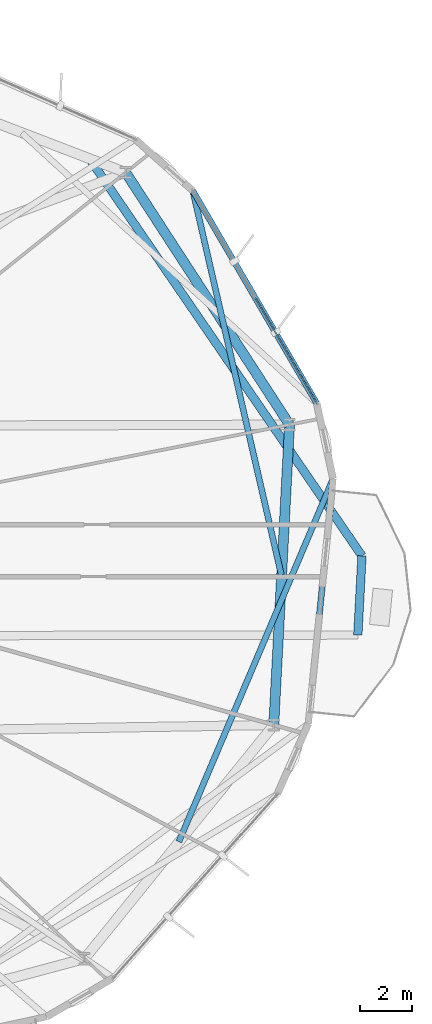
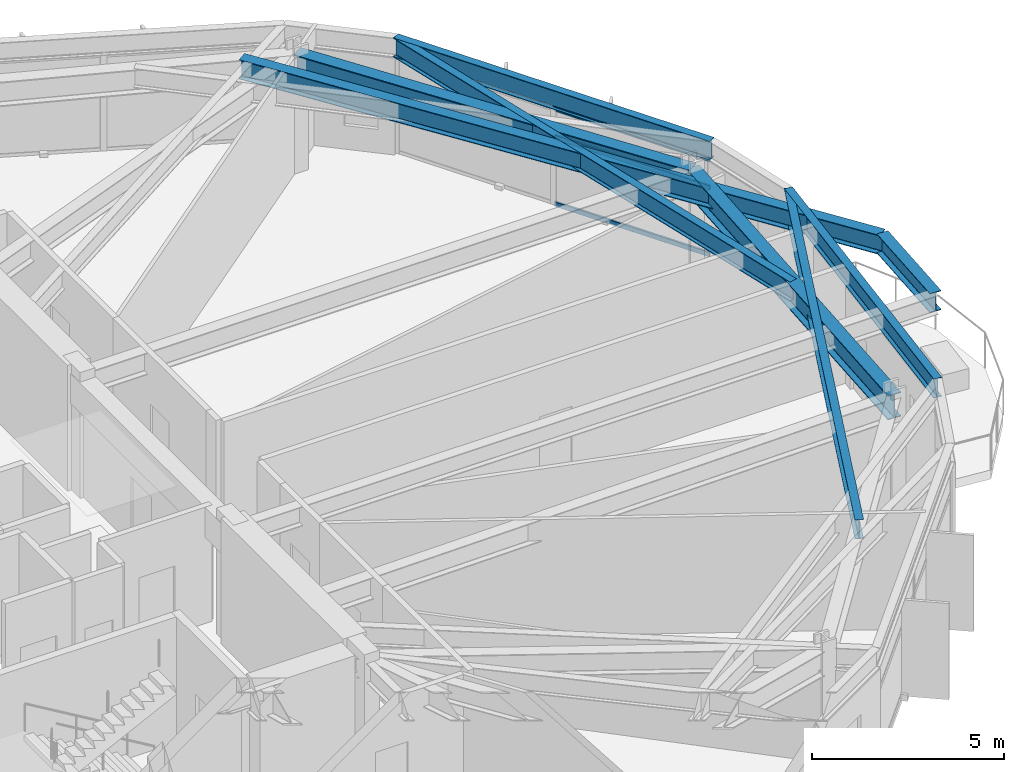
# One storey, part 9 of 22: 8 beams, 3 members, 1 element without a shape of its own.
"""IFC4 building model written with IfcOpenShell, lengths in metres."""

from ifc_helpers import new_model, si_unit, direction, frame, origin, origin_2d, place, context, subcontext, project, spatial, hollow_rectangle, i_section, extrude, material, layer, layer_set, material_profile, profile_set, type_object, element, aggregate, save


model = new_model("IFC4")

# Units and contexts
model_context = context("Model", 3, precision=1e-05, world=origin(), true_north=direction((0.0, 1.0)))
body_context = subcontext(model_context, "Body", "Model", "MODEL_VIEW")
ifc_project = project(units=[si_unit("LENGTHUNIT", "METRE"), si_unit("AREAUNIT", "SQUARE_METRE"), si_unit("VOLUMEUNIT", "CUBIC_METRE"), si_unit("PLANEANGLEUNIT", "RADIAN"), si_unit("MASSUNIT", "GRAM", prefix="KILO")], contexts=[model_context])

# Site, building, storey
site_placement = place(None, origin())
site = spatial("IfcSite", under=ifc_project, at=site_placement, CompositionType="ELEMENT")
building_placement = place(site_placement, origin())
building = spatial("IfcBuilding", under=site, at=building_placement, Name="Soratama Intermodal Tower", CompositionType="ELEMENT")
storey_placement = place(building_placement, frame((0.0, 0.0, 74.60009765625)))
storey = spatial("IfcBuildingStorey", under=building, at=storey_placement, Name="L17", CompositionType="ELEMENT", Elevation=74.60009765625)

# Beams
ifc_material_1 = material(Name="Structural steel ASTM A992 Grade 50", Category="steel")
ifc_material_profile_1 = material_profile(ifc_material_1, i_section(OverallWidth=0.324951171875, OverallDepth=0.615966796875, WebThickness=0.013916015625, FlangeThickness=0.021484375, FilletRadius=0.013916015625, at=origin_2d()), Name="W24X117")
ifc_profile_set_1 = profile_set([ifc_material_profile_1], Name="Structural steel ASTM A992 Grade 50")
beam_type_1 = type_object("IfcBeamType", Name="BM-CANT-W24X117", PredefinedType="BEAM", material=ifc_profile_set_1)
beam_1_placement = place(storey_placement, frame((65.7119140625, 21.75390625, 3.391845703125), z_axis=(0.052218339168, 0.998635691859, 0.0), x_axis=(-0.998635691859, 0.052218339168, 0.0)))
element("IfcBeam", 1, at=beam_1_placement, inside=storey, type_object=beam_type_1, Name="BM-L17-CBHDR-1", PredefinedType="BEAM", context=body_context, shape_type="SweptSolid", body=[
    extrude(i_section(OverallWidth=0.324951171875, OverallDepth=0.615966796875, WebThickness=0.013916015625, FlangeThickness=0.021484375, FilletRadius=0.013916015625, at=origin_2d()), origin(), (0.0, 0.0, 1.0), 3.04833984375),
])
beam_2_placement = place(storey_placement, frame((55.409912109375, 40.050048828125, 3.391845703125), z_axis=(0.565627629957, -0.824660769183, 0.0), x_axis=(0.824660769183, 0.565627629957, 0.0)))
element("IfcBeam", 2, at=beam_2_placement, inside=storey, type_object=beam_type_1, Name="BM-L17-CANT-1-2", PredefinedType="BEAM", context=body_context, shape_type="SweptSolid", body=[
    extrude(i_section(OverallWidth=0.324951171875, OverallDepth=0.615966796875, WebThickness=0.013916015625, FlangeThickness=0.021484375, FilletRadius=0.013916015625, at=origin_2d()), origin(), (0.0, 0.0, 1.0), 18.494873046875),
])
ifc_material_2 = material(Name="Structural steel ASTM A992 Grade 50", Category="steel")
ifc_material_profile_2 = material_profile(ifc_material_2, i_section(OverallWidth=0.382080078125, OverallDepth=0.779052734375, WebThickness=0.01806640625, FlangeThickness=0.030029296875, FilletRadius=0.01806640625, at=origin_2d()), Name="W30X191")
ifc_profile_set_2 = profile_set([ifc_material_profile_2], Name="Structural steel ASTM A992 Grade 50")
beam_type_2 = type_object("IfcBeamType", Name="BM-RING-W30X191", PredefinedType="BEAM", material=ifc_profile_set_2)
beam_3_placement = place(storey_placement, frame((63.08203125, 29.844970703125, 3.310302734375), z_axis=(-0.544623370352, 0.838680740489, 0.0), x_axis=(-0.838680740489, -0.544623370352, 0.0)))
element("IfcBeam", 3, at=beam_3_placement, inside=storey, type_object=beam_type_2, Name="BM-L17-RING-01", PredefinedType="BEAM", context=body_context, shape_type="SweptSolid", body=[
    extrude(i_section(OverallWidth=0.382080078125, OverallDepth=0.779052734375, WebThickness=0.01806640625, FlangeThickness=0.030029296875, FilletRadius=0.01806640625, at=origin_2d()), origin(), (0.0, 0.0, 1.0), 11.569580078125),
])
beam_4_placement = place(storey_placement, frame((62.47705078125, 18.291015625, 3.310302734375), z_axis=(0.052289698717, 0.998631957935, 0.0), x_axis=(-0.998631957935, 0.052289698717, 0.0)))
element("IfcBeam", 4, at=beam_4_placement, inside=storey, type_object=beam_type_2, Name="BM-L17-RING-10", PredefinedType="BEAM", context=body_context, shape_type="SweptSolid", body=[
    extrude(i_section(OverallWidth=0.382080078125, OverallDepth=0.779052734375, WebThickness=0.01806640625, FlangeThickness=0.030029296875, FilletRadius=0.01806640625, at=origin_2d()), origin(), (0.0, 0.0, 1.0), 11.56982421875),
])
ifc_material_3 = material(Name="Structural steel ASTM A992 Grade 50", Category="steel")
ifc_material_profile_3 = material_profile(ifc_material_3, i_section(OverallWidth=0.22900390625, OverallDepth=0.612060546875, WebThickness=0.011962890625, FlangeThickness=0.01953125, FilletRadius=0.012939453125, at=origin_2d()), Name="W24X84")
ifc_profile_set_3 = profile_set([ifc_material_profile_3], Name="Structural steel ASTM A992 Grade 50")
beam_type_3 = type_object("IfcBeamType", Name="BM-SPN-W24X84", PredefinedType="SPANDREL", material=ifc_profile_set_3)
beam_5_placement = place(storey_placement, frame((64.132080078125, 30.66796875, 3.393798828125), z_axis=(-0.503624354251, 0.863922745276, 0.0), x_axis=(-0.863922745276, -0.503624354251, 0.0)))
element("IfcBeam", 5, at=beam_5_placement, inside=storey, type_object=beam_type_3, Name="BS-L17-F01", PredefinedType="SPANDREL", context=body_context, shape_type="SweptSolid", body=[
    extrude(i_section(OverallWidth=0.22900390625, OverallDepth=0.612060546875, WebThickness=0.011962890625, FlangeThickness=0.01953125, FilletRadius=0.012939453125, at=origin_2d()), origin(), (0.0, 0.0, 1.0), 9.477783203125),
])
beam_6_placement = place(storey_placement, frame((63.81005859375, 18.340087890625, 3.393798828125), z_axis=(0.100342860572, 0.994952918651, 0.0), x_axis=(-0.994952918651, 0.100342860572, 0.0)))
element("IfcBeam", 6, at=beam_6_placement, inside=storey, type_object=beam_type_3, Name="BS-L17-F10", PredefinedType="SPANDREL", context=body_context, shape_type="SweptSolid", body=[
    extrude(i_section(OverallWidth=0.22900390625, OverallDepth=0.612060546875, WebThickness=0.011962890625, FlangeThickness=0.01953125, FilletRadius=0.012939453125, at=origin_2d()), origin(), (0.0, 0.0, 1.0), 9.476806640625),
])
ifc_material_4 = material(Name="Structural steel ASTM A992 Grade 50", Category="steel")
ifc_material_profile_4 = material_profile(ifc_material_4, i_section(OverallWidth=0.22900390625, OverallDepth=0.612060546875, WebThickness=0.011962890625, FlangeThickness=0.01953125, FilletRadius=0.012939453125, at=origin_2d()), Name="W24X84")
ifc_profile_set_4 = profile_set([ifc_material_profile_4], Name="Structural steel ASTM A992 Grade 50")
beam_type_4 = type_object("IfcBeamType", Name="BM-TIE-W24X84", PredefinedType="BEAM", material=ifc_profile_set_4)
beam_7_placement = place(storey_placement, frame((62.76806640625, 24.06396484375, 3.393798828125), z_axis=(-0.224586985623, 0.974454045037, 0.0), x_axis=(-0.974454045037, -0.224586985623, 0.0)))
element("IfcBeam", 7, at=beam_7_placement, inside=storey, type_object=beam_type_4, Name="BM-L17-TIE1-01", PredefinedType="BEAM", context=body_context, shape_type="SweptSolid", body=[
    extrude(i_section(OverallWidth=0.22900390625, OverallDepth=0.612060546875, WebThickness=0.011962890625, FlangeThickness=0.01953125, FilletRadius=0.012939453125, at=origin_2d()), origin(), (0.0, 0.0, 1.0), 15.1796875),
])
beam_8_placement = place(storey_placement, frame((58.824951171875, 13.799072265625, 3.393798828125), z_axis=(0.391073543359, 0.92035943179, 0.0), x_axis=(-0.92035943179, 0.391073543359, 0.0)))
element("IfcBeam", 8, at=beam_8_placement, inside=storey, type_object=beam_type_4, Name="BM-L17-TIE1-10", PredefinedType="BEAM", context=body_context, shape_type="SweptSolid", body=[
    extrude(i_section(OverallWidth=0.22900390625, OverallDepth=0.612060546875, WebThickness=0.011962890625, FlangeThickness=0.01953125, FilletRadius=0.012939453125, at=origin_2d()), origin(), (0.0, 0.0, 1.0), 15.1787109375),
])

# Curtain wall, members
ifc_material_5 = material(Name="Double-glazed aluminium curtain wall", Category="aluminium")
ifc_layer = layer(ifc_material_5, 0.159912109375)
ifc_layer_set = layer_set([ifc_layer], Name="Double-glazed aluminium curtain wall")
curtain_wall_type = type_object("IfcCurtainWallType", Name="CW-SYS-2", PredefinedType="NOTDEFINED", material=ifc_layer_set)
curtain_wall_placement = place(storey_placement, origin())
curtain_wall = element("IfcCurtainWall", 9, at=curtain_wall_placement, inside=storey, type_object=curtain_wall_type, Name="L17 Faceted Curtain Wall F01", PredefinedType="NOTDEFINED")
ifc_material_6 = material(Name="Anodised aluminium AA 6063-T6", Category="aluminium")
ifc_material_profile_5 = material_profile(ifc_material_6, hollow_rectangle(XDim=0.06494140625, YDim=0.14990234375, WallThickness=0.0048828125, InnerFilletRadius=0.0048828125, OuterFilletRadius=0.010009765625, at=origin_2d()), Name="CWT150X65X5")
ifc_profile_set_5 = profile_set([ifc_material_profile_5], Name="Anodised aluminium AA 6063-T6")
member_type = type_object("IfcMemberType", Name="TT-CWT-1", PredefinedType="USERDEFINED", material=ifc_profile_set_5)
member_1_placement = place(storey_placement, frame((64.10205078125, 30.72021484375, 0.02978515625), z_axis=(-0.50362608761, 0.863921734811, 0.0), x_axis=(-0.863921734811, -0.50362608761, 0.0)))
member_1 = element("IfcMember", 10, at=member_1_placement, type_object=member_type, Name="CW-2 transom 1.1", ObjectType="TRANSOM", PredefinedType="USERDEFINED", context=body_context, shape_type="SweptSolid", body=[
    extrude(hollow_rectangle(XDim=0.06494140625, YDim=0.14990234375, WallThickness=0.0048828125, InnerFilletRadius=0.0048828125, OuterFilletRadius=0.010009765625, at=origin_2d()), origin(), (0.0, 0.0, 1.0), 4.6484375),
])
member_2_placement = place(storey_placement, frame((64.10205078125, 30.72021484375, 2.14990234375), z_axis=(-0.50362608761, 0.863921734811, 0.0), x_axis=(-0.863921734811, -0.50362608761, 0.0)))
member_2 = element("IfcMember", 11, at=member_2_placement, type_object=member_type, Name="CW-2 transom 1.2", ObjectType="TRANSOM", PredefinedType="USERDEFINED", context=body_context, shape_type="SweptSolid", body=[
    extrude(hollow_rectangle(XDim=0.06494140625, YDim=0.14990234375, WallThickness=0.0048828125, InnerFilletRadius=0.0048828125, OuterFilletRadius=0.010009765625, at=origin_2d()), origin(), (0.0, 0.0, 1.0), 4.6484375),
])
member_3_placement = place(storey_placement, frame((64.10205078125, 30.72021484375, 3.048828125), z_axis=(-0.50362608761, 0.863921734811, 0.0), x_axis=(-0.863921734811, -0.50362608761, 0.0)))
member_3 = element("IfcMember", 12, at=member_3_placement, type_object=member_type, Name="CW-2 transom 1.3", ObjectType="TRANSOM", PredefinedType="USERDEFINED", context=body_context, shape_type="SweptSolid", body=[
    extrude(hollow_rectangle(XDim=0.06494140625, YDim=0.14990234375, WallThickness=0.0048828125, InnerFilletRadius=0.0048828125, OuterFilletRadius=0.010009765625, at=origin_2d()), origin(), (0.0, 0.0, 1.0), 4.6484375),
])
aggregate(curtain_wall, [member_1, member_2, member_3])

save(model, "model.ifc")
